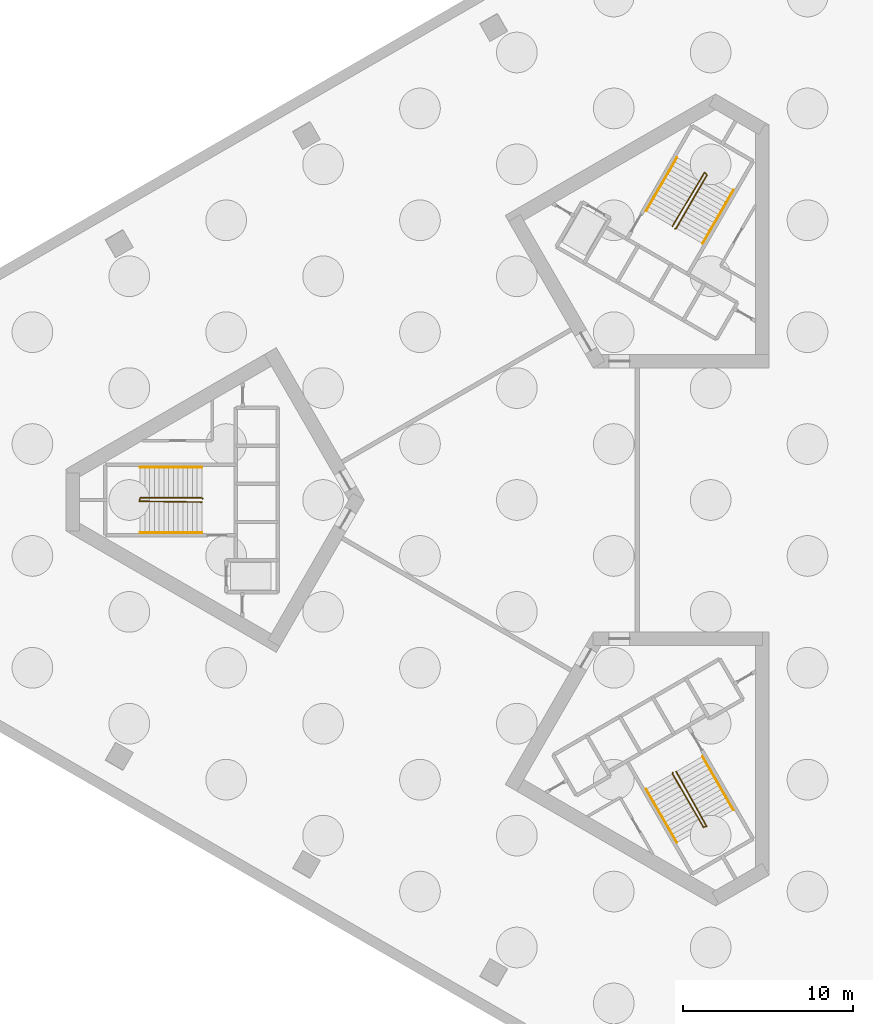
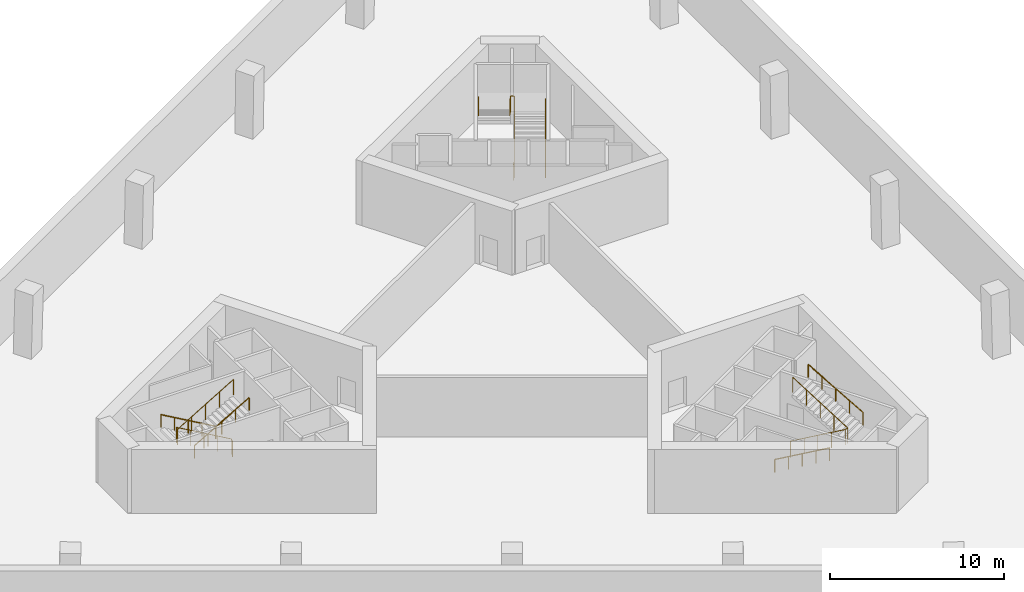
# One storey, part 6 of 7: 9 railings.
"""IFC4 building model written with IfcOpenShell, lengths in metres."""

from ifc_helpers import new_model, si_unit, direction, frame, origin, origin_2d, place, context, subcontext, project, spatial, circle, extrude, material, type_object, element, save


model = new_model("IFC4")

# Units and contexts
model_context = context("Model", 3, precision=1e-05, world=origin(), true_north=direction((0.0, 1.0)))
body_context = subcontext(model_context, "Body", "Model", "MODEL_VIEW")
ifc_project = project(units=[si_unit("LENGTHUNIT", "METRE"), si_unit("AREAUNIT", "SQUARE_METRE"), si_unit("VOLUMEUNIT", "CUBIC_METRE"), si_unit("PLANEANGLEUNIT", "RADIAN"), si_unit("MASSUNIT", "GRAM", prefix="KILO")], contexts=[model_context])

# Site, building, storey
site_placement = place(None, origin())
site = spatial("IfcSite", under=ifc_project, at=site_placement, CompositionType="ELEMENT")
building_placement = place(site_placement, origin())
building = spatial("IfcBuilding", under=site, at=building_placement, Name="Jabali Bay Hotel Tower and Convention Centre", CompositionType="ELEMENT")
storey_placement = place(building_placement, frame((0.0, 0.0, -9.0)))
storey = spatial("IfcBuildingStorey", under=building, at=storey_placement, Name="B2", CompositionType="ELEMENT", Elevation=-9.0)

# Railings
ifc_material = material(Name="Steel Q355B", Category="steel")
railing_type_1 = type_object("IfcRailingType", Name="Stair guard 1100", PredefinedType="GUARDRAIL", material=ifc_material)
railing_1_placement = place(storey_placement, frame((56.469970703125, 80.074951171875, 0.0)))
element("IfcRailing", 1, at=railing_1_placement, inside=storey, type_object=railing_type_1, Name="B2 ST1 stair guard 1", PredefinedType="GUARDRAIL", context=body_context, shape_type="SweptSolid", body=[
    extrude(circle(Radius=0.02392578125, at=origin_2d()), frame((0.0, 0.0, 1.076171875), z_axis=(-0.285103605394, 0.285103605394, 0.91511303585), x_axis=(-0.707106781187, -0.707106781187, 0.0)), (0.0, 0.0, 1.0), 0.175537109375),
    extrude(circle(Radius=0.02392578125, at=origin_2d()), frame((-0.050048828125, 0.050048828125, 1.23681640625), z_axis=(-0.8672749571, 0.0, 0.497829437445), x_axis=(0.0, -1.0, 0.0)), (0.0, 0.0, 1.0), 4.197021484375),
    extrude(circle(Radius=0.02392578125, at=origin_2d()), frame((-3.68994140625, 0.050048828125, 3.326171875), z_axis=(-0.242814311512, -0.970072785993, 0.0), x_axis=(0.970072785993, -0.242814311512, 0.0)), (0.0, 0.0, 1.0), 0.2060546875),
    extrude(circle(Radius=0.02392578125, at=origin_2d()), frame((-3.739990234375, -0.14990234375, 3.326171875), z_axis=(0.853735256921, -0.011579709387, 0.520578544911), x_axis=(0.013562335953, 0.999908027292, 0.0)), (0.0, 0.0, 1.0), 4.322021484375),
    extrude(circle(Radius=0.02099609375, at=origin_2d()), origin(), (0.0, 0.0, 1.0), 1.052001953125),
    extrude(circle(Radius=0.02099609375, at=origin_2d()), frame((-0.050048828125, 0.050048828125, 0.16064453125)), (0.0, 0.0, 1.0), 1.052001953125),
    extrude(circle(Radius=0.02099609375, at=origin_2d()), frame((-0.9599609375, 0.050048828125, 0.68310546875)), (0.0, 0.0, 1.0), 1.052001953125),
    extrude(circle(Radius=0.02099609375, at=origin_2d()), frame((-1.8701171875, 0.050048828125, 1.205322265625)), (0.0, 0.0, 1.0), 1.052001953125),
    extrude(circle(Radius=0.02099609375, at=origin_2d()), frame((-2.780029296875, 0.050048828125, 1.7275390625)), (0.0, 0.0, 1.0), 1.052001953125),
    extrude(circle(Radius=0.02099609375, at=origin_2d()), frame((-3.68994140625, 0.050048828125, 2.25)), (0.0, 0.0, 1.0), 1.052001953125),
    extrude(circle(Radius=0.02099609375, at=origin_2d()), frame((-3.739990234375, -0.14990234375, 2.25)), (0.0, 0.0, 1.0), 1.052001953125),
    extrude(circle(Radius=0.02099609375, at=origin_2d()), frame((-2.8173828125, -0.162353515625, 2.8125)), (0.0, 0.0, 1.0), 1.052001953125),
    extrude(circle(Radius=0.02099609375, at=origin_2d()), frame((-1.89501953125, -0.1748046875, 3.375)), (0.0, 0.0, 1.0), 1.052001953125),
    extrude(circle(Radius=0.02099609375, at=origin_2d()), frame((-0.97265625, -0.1875, 3.9375)), (0.0, 0.0, 1.0), 1.052001953125),
    extrude(circle(Radius=0.02099609375, at=origin_2d()), frame((-0.050048828125, -0.199951171875, 4.5)), (0.0, 0.0, 1.0), 1.052001953125),
])
railing_2_placement = place(storey_placement, frame((84.329833984375, 96.010009765625, 0.0)))
element("IfcRailing", 2, at=railing_2_placement, inside=storey, type_object=railing_type_1, Name="B2 ST2 stair guard 1", PredefinedType="GUARDRAIL", context=body_context, shape_type="SweptSolid", body=[
    extrude(circle(Radius=0.02392578125, at=origin_2d()), frame((0.0, 0.0, 1.076171875), z_axis=(0.389419217707, 0.104308719029, 0.91513516161), x_axis=(-0.258736085224, 0.965948051503, 0.0)), (0.0, 0.0, 1.0), 0.175537109375),
    extrude(circle(Radius=0.02392578125, at=origin_2d()), frame((0.068359375, 0.018310546875, 1.23681640625), z_axis=(0.433652999409, 0.751083504812, 0.49781386572), x_axis=(-0.866018046521, 0.500012742938, 0.0)), (0.0, 0.0, 1.0), 4.197021484375),
    extrude(circle(Radius=0.02392578125, at=origin_2d()), frame((1.888427734375, 3.170654296875, 3.326171875), z_axis=(-0.718850276695, 0.695164929852, 0.0), x_axis=(-0.695164929852, -0.718850276695, 0.0)), (0.0, 0.0, 1.0), 0.2060546875),
    extrude(circle(Radius=0.02392578125, at=origin_2d()), frame((1.740234375, 3.31396484375, 3.326171875), z_axis=(-0.436910096107, -0.733568379849, 0.520564117093), x_axis=(0.859157857954, -0.511710636118, 0.0)), (0.0, 0.0, 1.0), 4.322265625),
    extrude(circle(Radius=0.02099609375, at=origin_2d()), origin(), (0.0, 0.0, 1.0), 1.052001953125),
    extrude(circle(Radius=0.02099609375, at=origin_2d()), frame((0.068359375, 0.018310546875, 0.16064453125)), (0.0, 0.0, 1.0), 1.052001953125),
    extrude(circle(Radius=0.02099609375, at=origin_2d()), frame((0.5234375, 0.806396484375, 0.68310546875)), (0.0, 0.0, 1.0), 1.052001953125),
    extrude(circle(Radius=0.02099609375, at=origin_2d()), frame((0.978515625, 1.594482421875, 1.205322265625)), (0.0, 0.0, 1.0), 1.052001953125),
    extrude(circle(Radius=0.02099609375, at=origin_2d()), frame((1.433349609375, 2.382568359375, 1.7275390625)), (0.0, 0.0, 1.0), 1.052001953125),
    extrude(circle(Radius=0.02099609375, at=origin_2d()), frame((1.888427734375, 3.170654296875, 2.25)), (0.0, 0.0, 1.0), 1.052001953125),
    extrude(circle(Radius=0.02099609375, at=origin_2d()), frame((1.740234375, 3.31396484375, 2.25)), (0.0, 0.0, 1.0), 1.052001953125),
    extrude(circle(Radius=0.02099609375, at=origin_2d()), frame((1.26806640625, 2.521240234375, 2.8125)), (0.0, 0.0, 1.0), 1.052001953125),
    extrude(circle(Radius=0.02099609375, at=origin_2d()), frame((0.7958984375, 1.728515625, 3.375)), (0.0, 0.0, 1.0), 1.052001953125),
    extrude(circle(Radius=0.02099609375, at=origin_2d()), frame((0.323974609375, 0.93603515625, 3.9375)), (0.0, 0.0, 1.0), 1.052001953125),
    extrude(circle(Radius=0.02099609375, at=origin_2d()), frame((-0.148193359375, 0.143310546875, 4.5)), (0.0, 0.0, 1.0), 1.052001953125),
])
railing_3_placement = place(storey_placement, frame((84.199951171875, 63.9150390625, 0.0)))
element("IfcRailing", 3, at=railing_3_placement, inside=storey, type_object=railing_type_1, Name="B2 ST3 stair guard 1", PredefinedType="GUARDRAIL", context=body_context, shape_type="SweptSolid", body=[
    extrude(circle(Radius=0.02392578125, at=origin_2d()), frame((0.0, 0.0, 1.076171875), z_axis=(-0.104308719029, -0.389419217707, 0.91513516161), x_axis=(0.965948051503, -0.258736085224, 0.0)), (0.0, 0.0, 1.0), 0.175537109375),
    extrude(circle(Radius=0.02392578125, at=origin_2d()), frame((-0.018310546875, -0.068359375, 1.23681640625), z_axis=(0.433652999409, -0.751083504812, 0.49781386572), x_axis=(0.866018046521, 0.500012742938, 0.0)), (0.0, 0.0, 1.0), 4.197021484375),
    extrude(circle(Radius=0.02392578125, at=origin_2d()), frame((1.8017578125, -3.220703125, 3.326171875), z_axis=(0.96121063429, 0.275815366736, 0.0), x_axis=(-0.275815366736, 0.96121063429, 0.0)), (0.0, 0.0, 1.0), 0.206298828125),
    extrude(circle(Radius=0.02392578125, at=origin_2d()), frame((2.0, -3.163818359375, 3.326171875), z_axis=(-0.416874951572, 0.745121610595, 0.520585305378), x_axis=(-0.872702246529, -0.488252792008, 0.0)), (0.0, 0.0, 1.0), 4.322021484375),
    extrude(circle(Radius=0.02099609375, at=origin_2d()), origin(), (0.0, 0.0, 1.0), 1.052001953125),
    extrude(circle(Radius=0.02099609375, at=origin_2d()), frame((-0.018310546875, -0.068359375, 0.16064453125)), (0.0, 0.0, 1.0), 1.052001953125),
    extrude(circle(Radius=0.02099609375, at=origin_2d()), frame((0.436767578125, -0.8564453125, 0.68310546875)), (0.0, 0.0, 1.0), 1.052001953125),
    extrude(circle(Radius=0.02099609375, at=origin_2d()), frame((0.8916015625, -1.64453125, 1.205322265625)), (0.0, 0.0, 1.0), 1.052001953125),
    extrude(circle(Radius=0.02099609375, at=origin_2d()), frame((1.3466796875, -2.4326171875, 1.7275390625)), (0.0, 0.0, 1.0), 1.052001953125),
    extrude(circle(Radius=0.02099609375, at=origin_2d()), frame((1.8017578125, -3.220703125, 2.25)), (0.0, 0.0, 1.0), 1.052001953125),
    extrude(circle(Radius=0.02099609375, at=origin_2d()), frame((2.0, -3.163818359375, 2.25)), (0.0, 0.0, 1.0), 1.052001953125),
    extrude(circle(Radius=0.02099609375, at=origin_2d()), frame((1.549560546875, -2.358642578125, 2.8125)), (0.0, 0.0, 1.0), 1.052001953125),
    extrude(circle(Radius=0.02099609375, at=origin_2d()), frame((1.09912109375, -1.5537109375, 3.375)), (0.0, 0.0, 1.0), 1.052001953125),
    extrude(circle(Radius=0.02099609375, at=origin_2d()), frame((0.648681640625, -0.74853515625, 3.9375)), (0.0, 0.0, 1.0), 1.052001953125),
    extrude(circle(Radius=0.02099609375, at=origin_2d()), frame((0.1982421875, 0.056640625, 4.5)), (0.0, 0.0, 1.0), 1.052001953125),
])
railing_type_2 = type_object("IfcRailingType", Name="Stair handrail 900", PredefinedType="HANDRAIL", material=ifc_material)
railing_4_placement = place(storey_placement, frame((56.419921875, 81.925048828125, 0.16064453125)))
element("IfcRailing", 4, at=railing_4_placement, inside=storey, type_object=railing_type_2, Name="B2 ST1 stair handrail 1", PredefinedType="HANDRAIL", context=body_context, shape_type="SweptSolid", body=[
    extrude(circle(Radius=0.02392578125, at=origin_2d()), frame((0.0, 0.0, 0.8759765625), z_axis=(-0.8672749571, 0.0, 0.497829437445), x_axis=(0.0, -1.0, 0.0)), (0.0, 0.0, 1.0), 4.197021484375),
    extrude(circle(Radius=0.02099609375, at=origin_2d()), origin(), (0.0, 0.0, 1.0), 0.851806640625),
    extrude(circle(Radius=0.02099609375, at=origin_2d()), frame((-0.909912109375, 0.0, 0.5224609375)), (0.0, 0.0, 1.0), 0.851806640625),
    extrude(circle(Radius=0.02099609375, at=origin_2d()), frame((-1.81982421875, 0.0, 1.044677734375)), (0.0, 0.0, 1.0), 0.851806640625),
    extrude(circle(Radius=0.02099609375, at=origin_2d()), frame((-2.72998046875, 0.0, 1.56689453125)), (0.0, 0.0, 1.0), 0.851806640625),
    extrude(circle(Radius=0.02099609375, at=origin_2d()), frame((-3.639892578125, 0.0, 2.08935546875)), (0.0, 0.0, 1.0), 0.851806640625),
])
railing_5_placement = place(storey_placement, frame((52.780029296875, 78.074951171875, 2.41064453125)))
element("IfcRailing", 5, at=railing_5_placement, inside=storey, type_object=railing_type_2, Name="B2 ST1 stair handrail 2", PredefinedType="HANDRAIL", context=body_context, shape_type="SweptSolid", body=[
    extrude(circle(Radius=0.02392578125, at=origin_2d()), frame((0.0, 0.0, 0.8759765625), z_axis=(0.8672749571, 0.0, 0.497829437445), x_axis=(0.0, 1.0, 0.0)), (0.0, 0.0, 1.0), 4.197021484375),
    extrude(circle(Radius=0.02099609375, at=origin_2d()), origin(), (0.0, 0.0, 1.0), 0.851806640625),
    extrude(circle(Radius=0.02099609375, at=origin_2d()), frame((0.909912109375, 0.0, 0.5224609375)), (0.0, 0.0, 1.0), 0.851806640625),
    extrude(circle(Radius=0.02099609375, at=origin_2d()), frame((1.81982421875, 0.0, 1.044677734375)), (0.0, 0.0, 1.0), 0.851806640625),
    extrude(circle(Radius=0.02099609375, at=origin_2d()), frame((2.72998046875, 0.0, 1.56689453125)), (0.0, 0.0, 1.0), 0.851806640625),
    extrude(circle(Radius=0.02099609375, at=origin_2d()), frame((3.639892578125, 0.0, 2.08935546875)), (0.0, 0.0, 1.0), 0.851806640625),
])
railing_6_placement = place(storey_placement, frame((85.95703125, 95.128173828125, 0.16064453125)))
element("IfcRailing", 6, at=railing_6_placement, inside=storey, type_object=railing_type_2, Name="B2 ST2 stair handrail 1", PredefinedType="HANDRAIL", context=body_context, shape_type="SweptSolid", body=[
    extrude(circle(Radius=0.02392578125, at=origin_2d()), frame((0.0, 0.0, 0.8759765625), z_axis=(0.433652999409, 0.751083504812, 0.49781386572), x_axis=(-0.866018046521, 0.500012742938, 0.0)), (0.0, 0.0, 1.0), 4.197021484375),
    extrude(circle(Radius=0.02099609375, at=origin_2d()), origin(), (0.0, 0.0, 1.0), 0.851806640625),
    extrude(circle(Radius=0.02099609375, at=origin_2d()), frame((0.455078125, 0.7880859375, 0.5224609375)), (0.0, 0.0, 1.0), 0.851806640625),
    extrude(circle(Radius=0.02099609375, at=origin_2d()), frame((0.91015625, 1.576171875, 1.044677734375)), (0.0, 0.0, 1.0), 0.851806640625),
    extrude(circle(Radius=0.02099609375, at=origin_2d()), frame((1.364990234375, 2.3642578125, 1.56689453125)), (0.0, 0.0, 1.0), 0.851806640625),
    extrude(circle(Radius=0.02099609375, at=origin_2d()), frame((1.820068359375, 3.15234375, 2.08935546875)), (0.0, 0.0, 1.0), 0.851806640625),
])
railing_7_placement = place(storey_placement, frame((84.44287109375, 100.20556640625, 2.41064453125)))
element("IfcRailing", 7, at=railing_7_placement, inside=storey, type_object=railing_type_2, Name="B2 ST2 stair handrail 2", PredefinedType="HANDRAIL", context=body_context, shape_type="SweptSolid", body=[
    extrude(circle(Radius=0.02392578125, at=origin_2d()), frame((0.0, 0.0, 0.8759765625), z_axis=(-0.433652999409, -0.751083504812, 0.49781386572), x_axis=(0.866018046521, -0.500012742938, 0.0)), (0.0, 0.0, 1.0), 4.197021484375),
    extrude(circle(Radius=0.02099609375, at=origin_2d()), origin(), (0.0, 0.0, 1.0), 0.851806640625),
    extrude(circle(Radius=0.02099609375, at=origin_2d()), frame((-0.455078125, -0.7880859375, 0.5224609375)), (0.0, 0.0, 1.0), 0.851806640625),
    extrude(circle(Radius=0.02099609375, at=origin_2d()), frame((-0.91015625, -1.576171875, 1.044677734375)), (0.0, 0.0, 1.0), 0.851806640625),
    extrude(circle(Radius=0.02099609375, at=origin_2d()), frame((-1.364990234375, -2.3642578125, 1.56689453125)), (0.0, 0.0, 1.0), 0.851806640625),
    extrude(circle(Radius=0.02099609375, at=origin_2d()), frame((-1.820068359375, -3.15234375, 2.08935546875)), (0.0, 0.0, 1.0), 0.851806640625),
])
railing_8_placement = place(storey_placement, frame((82.622802734375, 62.94677734375, 0.16064453125)))
element("IfcRailing", 8, at=railing_8_placement, inside=storey, type_object=railing_type_2, Name="B2 ST3 stair handrail 1", PredefinedType="HANDRAIL", context=body_context, shape_type="SweptSolid", body=[
    extrude(circle(Radius=0.02392578125, at=origin_2d()), frame((0.0, 0.0, 0.8759765625), z_axis=(0.433652999409, -0.751083504812, 0.49781386572), x_axis=(0.866018046521, 0.500012742938, 0.0)), (0.0, 0.0, 1.0), 4.197021484375),
    extrude(circle(Radius=0.02099609375, at=origin_2d()), origin(), (0.0, 0.0, 1.0), 0.851806640625),
    extrude(circle(Radius=0.02099609375, at=origin_2d()), frame((0.455078125, -0.7880859375, 0.5224609375)), (0.0, 0.0, 1.0), 0.851806640625),
    extrude(circle(Radius=0.02099609375, at=origin_2d()), frame((0.91015625, -1.576171875, 1.044677734375)), (0.0, 0.0, 1.0), 0.851806640625),
    extrude(circle(Radius=0.02099609375, at=origin_2d()), frame((1.364990234375, -2.3642578125, 1.56689453125)), (0.0, 0.0, 1.0), 0.851806640625),
    extrude(circle(Radius=0.02099609375, at=origin_2d()), frame((1.820068359375, -3.15234375, 2.08935546875)), (0.0, 0.0, 1.0), 0.851806640625),
])
railing_9_placement = place(storey_placement, frame((87.777099609375, 61.719482421875, 2.41064453125)))
element("IfcRailing", 9, at=railing_9_placement, inside=storey, type_object=railing_type_2, Name="B2 ST3 stair handrail 2", PredefinedType="HANDRAIL", context=body_context, shape_type="SweptSolid", body=[
    extrude(circle(Radius=0.02392578125, at=origin_2d()), frame((0.0, 0.0, 0.8759765625), z_axis=(-0.433652999409, 0.751083504812, 0.49781386572), x_axis=(-0.866018046521, -0.500012742938, 0.0)), (0.0, 0.0, 1.0), 4.197021484375),
    extrude(circle(Radius=0.02099609375, at=origin_2d()), origin(), (0.0, 0.0, 1.0), 0.851806640625),
    extrude(circle(Radius=0.02099609375, at=origin_2d()), frame((-0.455078125, 0.7880859375, 0.5224609375)), (0.0, 0.0, 1.0), 0.851806640625),
    extrude(circle(Radius=0.02099609375, at=origin_2d()), frame((-0.91015625, 1.576171875, 1.044677734375)), (0.0, 0.0, 1.0), 0.851806640625),
    extrude(circle(Radius=0.02099609375, at=origin_2d()), frame((-1.364990234375, 2.3642578125, 1.56689453125)), (0.0, 0.0, 1.0), 0.851806640625),
    extrude(circle(Radius=0.02099609375, at=origin_2d()), frame((-1.820068359375, 3.15234375, 2.08935546875)), (0.0, 0.0, 1.0), 0.851806640625),
])

save(model, "model.ifc")
